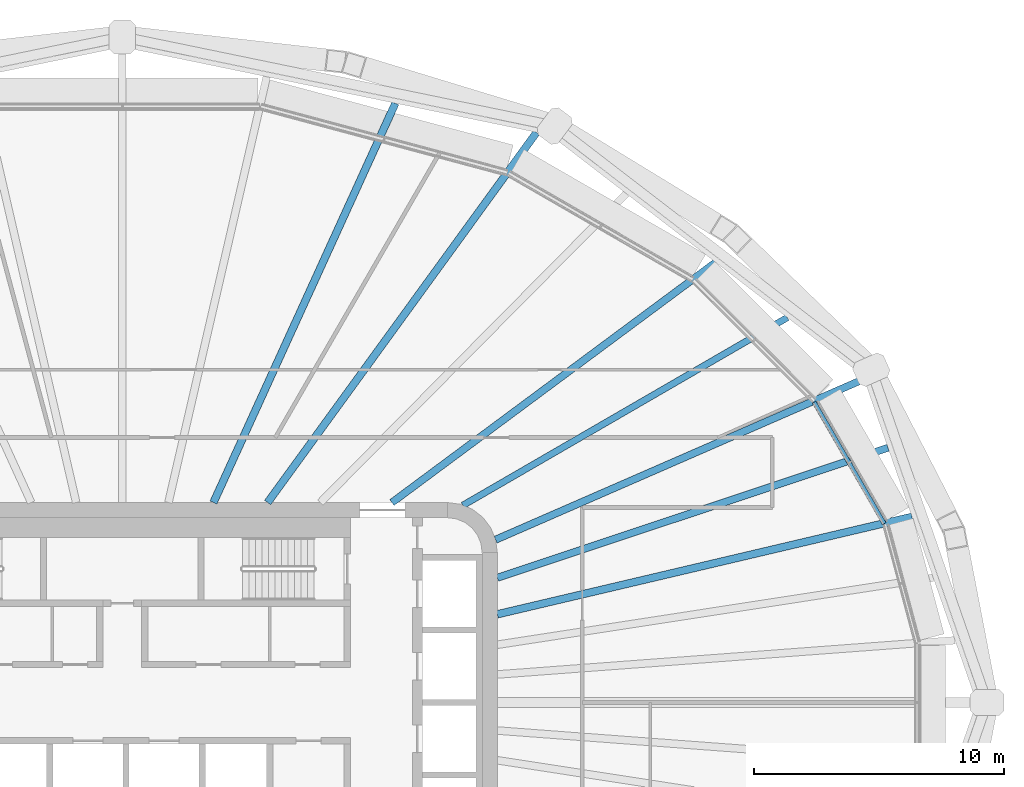
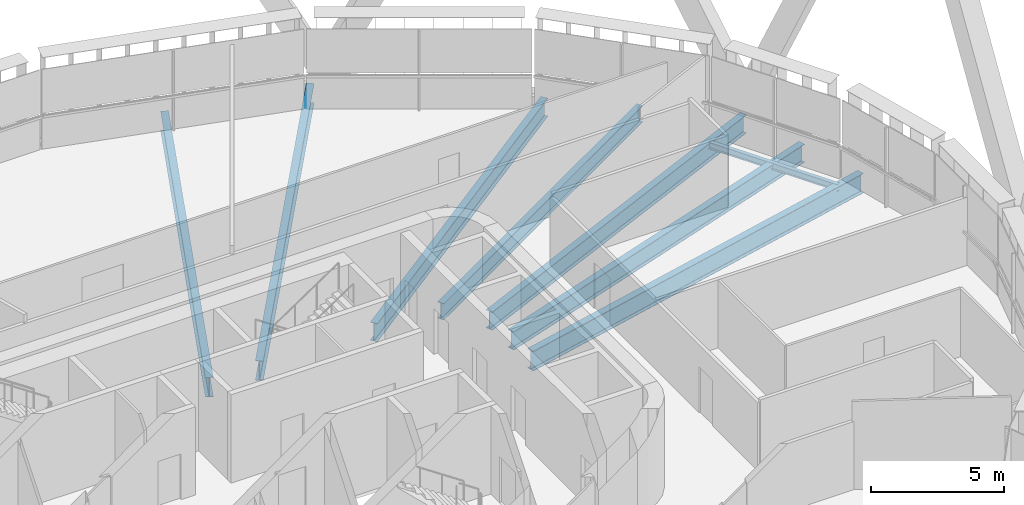
# One storey, part 9 of 25: 8 beams.
"""IFC4 building model written with IfcOpenShell, lengths in metres."""

from ifc_helpers import new_model, si_unit, direction, frame, origin, origin_2d, place, context, subcontext, project, spatial, i_section, extrude, material, material_profile, profile_set, type_object, element, save


model = new_model("IFC4")

# Units and contexts
model_context = context("Model", 3, precision=1e-05, world=origin(), true_north=direction((0.0, 1.0)))
body_context = subcontext(model_context, "Body", "Model", "MODEL_VIEW")
ifc_project = project(units=[si_unit("LENGTHUNIT", "METRE"), si_unit("AREAUNIT", "SQUARE_METRE"), si_unit("VOLUMEUNIT", "CUBIC_METRE"), si_unit("PLANEANGLEUNIT", "RADIAN"), si_unit("MASSUNIT", "GRAM", prefix="KILO")], contexts=[model_context])

# Site, building, storey
site_placement = place(None, origin())
site = spatial("IfcSite", under=ifc_project, at=site_placement, CompositionType="ELEMENT")
building_placement = place(site_placement, origin())
building = spatial("IfcBuilding", under=site, at=building_placement, Name="Sahrelin Media Tower", CompositionType="ELEMENT")
storey_placement = place(building_placement, frame((0.0, 0.0, 114.60009765625)))
storey = spatial("IfcBuildingStorey", under=building, at=storey_placement, Name="L22", CompositionType="ELEMENT", Elevation=114.60009765625)

# Beams
ifc_material = material(Name="Steel S355", Category="steel")
ifc_material_profile_1 = material_profile(ifc_material, i_section(OverallWidth=0.1650390625, OverallDepth=0.303466796875, WebThickness=0.006103515625, FlangeThickness=0.01025390625, FilletRadius=0.0087890625, at=origin_2d()), Name="UB 305x165x40")
ifc_profile_set_1 = profile_set([ifc_material_profile_1], Name="Steel S355")
beam_type_1 = type_object("IfcBeamType", Name="Edge beam EB2", PredefinedType="BEAM", material=ifc_profile_set_1)
beam_1_placement = place(storey_placement, frame((27.673828125, 12.014404296875, -0.3017578125), z_axis=(0.499997576928, -0.866026802741, 0.0), x_axis=(0.866026802741, 0.499997576928, 0.0)))
element("IfcBeam", 1, at=beam_1_placement, inside=storey, type_object=beam_type_1, Name="Edge beam L22-23", PredefinedType="BEAM", context=body_context, shape_type="SweptSolid", body=[
    extrude(i_section(OverallWidth=0.1650390625, OverallDepth=0.303466796875, WebThickness=0.006103515625, FlangeThickness=0.01025390625, FilletRadius=0.0087890625, at=origin_2d()), origin(), (0.0, 0.0, 1.0), 5.607421875),
])
ifc_material_profile_2 = material_profile(ifc_material, i_section(OverallWidth=0.291748046875, OverallDepth=0.8349609375, WebThickness=0.013916015625, FlangeThickness=0.018798828125, FilletRadius=0.017822265625, at=origin_2d()), Name="UB 838x292x176")
ifc_profile_set_2 = profile_set([ifc_material_profile_2], Name="Steel S355")
beam_type_2 = type_object("IfcBeamType", Name="Radial primary beam PB10", PredefinedType="BEAM", material=ifc_profile_set_2)
beam_2_placement = place(storey_placement, frame((14.9326171875, 6.5126953125, -0.567626953125), z_axis=(0.916611517945, 0.399779095465, 0.0), x_axis=(-0.399779095465, 0.916611517945, 0.0)))
element("IfcBeam", 2, at=beam_2_placement, inside=storey, type_object=beam_type_2, Name="Radial beam L22-03", PredefinedType="BEAM", context=body_context, shape_type="SweptSolid", body=[
    extrude(i_section(OverallWidth=0.291748046875, OverallDepth=0.8349609375, WebThickness=0.013916015625, FlangeThickness=0.018798828125, FilletRadius=0.017822265625, at=origin_2d()), origin(), (0.0, 0.0, 1.0), 16.078857421875),
])
beam_3_placement = place(storey_placement, frame((10.78515625, 8.0, -0.567626953125), z_axis=(0.803166740264, 0.595754301146, 0.0), x_axis=(-0.595754301146, 0.803166740264, 0.0)))
element("IfcBeam", 3, at=beam_3_placement, inside=storey, type_object=beam_type_2, Name="Radial beam L22-04", PredefinedType="BEAM", context=body_context, shape_type="SweptSolid", body=[
    extrude(i_section(OverallWidth=0.291748046875, OverallDepth=0.8349609375, WebThickness=0.013916015625, FlangeThickness=0.018798828125, FilletRadius=0.017822265625, at=origin_2d()), origin(), (0.0, 0.0, 1.0), 16.12353515625),
])
ifc_material_profile_3 = material_profile(ifc_material, i_section(OverallWidth=0.30322265625, OverallDepth=0.903076171875, WebThickness=0.01513671875, FlangeThickness=0.020263671875, FilletRadius=0.01904296875, at=origin_2d()), Name="UB 914x305x201")
ifc_profile_set_3 = profile_set([ifc_material_profile_3], Name="Steel S355")
beam_type_3 = type_object("IfcBeamType", Name="Radial primary beam PB11", PredefinedType="BEAM", material=ifc_profile_set_3)
beam_4_placement = place(storey_placement, frame((15.0, 3.5283203125, -0.6015625), z_axis=(0.97343238477, 0.228974654232, 0.0), x_axis=(-0.228974654232, 0.97343238477, 0.0)))
element("IfcBeam", 4, at=beam_4_placement, inside=storey, type_object=beam_type_3, Name="Radial beam L22-02", PredefinedType="BEAM", context=body_context, shape_type="SweptSolid", body=[
    extrude(i_section(OverallWidth=0.30322265625, OverallDepth=0.903076171875, WebThickness=0.01513671875, FlangeThickness=0.020263671875, FilletRadius=0.01904296875, at=origin_2d()), origin(), (0.0, 0.0, 1.0), 17.04150390625),
])
beam_5_placement = place(storey_placement, frame((5.81298828125, 8.0, -0.6015625), z_axis=(0.587818677526, 0.808992708466, 0.0), x_axis=(-0.808992708466, 0.587818677526, 0.0)))
element("IfcBeam", 5, at=beam_5_placement, inside=storey, type_object=beam_type_3, Name="Radial beam L22-05", PredefinedType="BEAM", context=body_context, shape_type="SweptSolid", body=[
    extrude(i_section(OverallWidth=0.30322265625, OverallDepth=0.903076171875, WebThickness=0.01513671875, FlangeThickness=0.020263671875, FilletRadius=0.01904296875, at=origin_2d()), origin(), (0.0, 0.0, 1.0), 18.3017578125),
])
ifc_material_profile_4 = material_profile(ifc_material, i_section(OverallWidth=0.291748046875, OverallDepth=0.8349609375, WebThickness=0.013916015625, FlangeThickness=0.018798828125, FilletRadius=0.017822265625, at=origin_2d()), Name="UB 838x292x176")
ifc_profile_set_4 = profile_set([ifc_material_profile_4], Name="Steel S355")
beam_type_4 = type_object("IfcBeamType", Name="Radial secondary beam SB10", PredefinedType="BEAM", material=ifc_profile_set_4)
beam_6_placement = place(storey_placement, frame((15.0, 4.989990234375, -0.567626953125), z_axis=(0.948875817158, 0.315649621595, 0.0), x_axis=(-0.315649621595, 0.948875817158, 0.0)))
element("IfcBeam", 6, at=beam_6_placement, inside=storey, type_object=beam_type_4, Name="Secondary beam L22-02", PredefinedType="BEAM", context=body_context, shape_type="SweptSolid", body=[
    extrude(i_section(OverallWidth=0.291748046875, OverallDepth=0.8349609375, WebThickness=0.013916015625, FlangeThickness=0.018798828125, FilletRadius=0.017822265625, at=origin_2d()), origin(), (0.0, 0.0, 1.0), 16.470703125),
])
ifc_material_profile_5 = material_profile(ifc_material, i_section(OverallWidth=0.30322265625, OverallDepth=0.903076171875, WebThickness=0.01513671875, FlangeThickness=0.020263671875, FilletRadius=0.01904296875, at=origin_2d()), Name="UB 914x305x201")
ifc_profile_set_5 = profile_set([ifc_material_profile_5], Name="Steel S355")
beam_type_5 = type_object("IfcBeamType", Name="Radial secondary beam SB11", PredefinedType="BEAM", material=ifc_profile_set_5)
beam_7_placement = place(storey_placement, frame((3.645263671875, 8.0, -0.6015625), z_axis=(0.414638082783, 0.90998640666, 0.0), x_axis=(-0.90998640666, 0.414638082783, 0.0)))
element("IfcBeam", 7, at=beam_7_placement, inside=storey, type_object=beam_type_5, Name="Secondary beam L22-05", PredefinedType="BEAM", context=body_context, shape_type="SweptSolid", body=[
    extrude(i_section(OverallWidth=0.30322265625, OverallDepth=0.903076171875, WebThickness=0.01513671875, FlangeThickness=0.020263671875, FilletRadius=0.01904296875, at=origin_2d()), origin(), (0.0, 0.0, 1.0), 17.550537109375),
])
ifc_material_profile_6 = material_profile(ifc_material, i_section(OverallWidth=0.26513671875, OverallDepth=0.75390625, WebThickness=0.0126953125, FlangeThickness=0.017578125, FilletRadius=0.0166015625, at=origin_2d()), Name="UB 762x267x147")
ifc_profile_set_6 = profile_set([ifc_material_profile_6], Name="Steel S355")
beam_type_6 = type_object("IfcBeamType", Name="Radial secondary beam SB9", PredefinedType="BEAM", material=ifc_profile_set_6)
beam_8_placement = place(storey_placement, frame((13.625244140625, 7.88720703125, -0.527099609375), z_axis=(0.865456011638, 0.500984921848, 0.0), x_axis=(-0.500984921848, 0.865456011638, 0.0)))
element("IfcBeam", 8, at=beam_8_placement, inside=storey, type_object=beam_type_6, Name="Secondary beam L22-03", PredefinedType="BEAM", context=body_context, shape_type="SweptSolid", body=[
    extrude(i_section(OverallWidth=0.26513671875, OverallDepth=0.75390625, WebThickness=0.0126953125, FlangeThickness=0.017578125, FilletRadius=0.0166015625, at=origin_2d()), origin(), (0.0, 0.0, 1.0), 14.993896484375),
])

save(model, "model.ifc")
